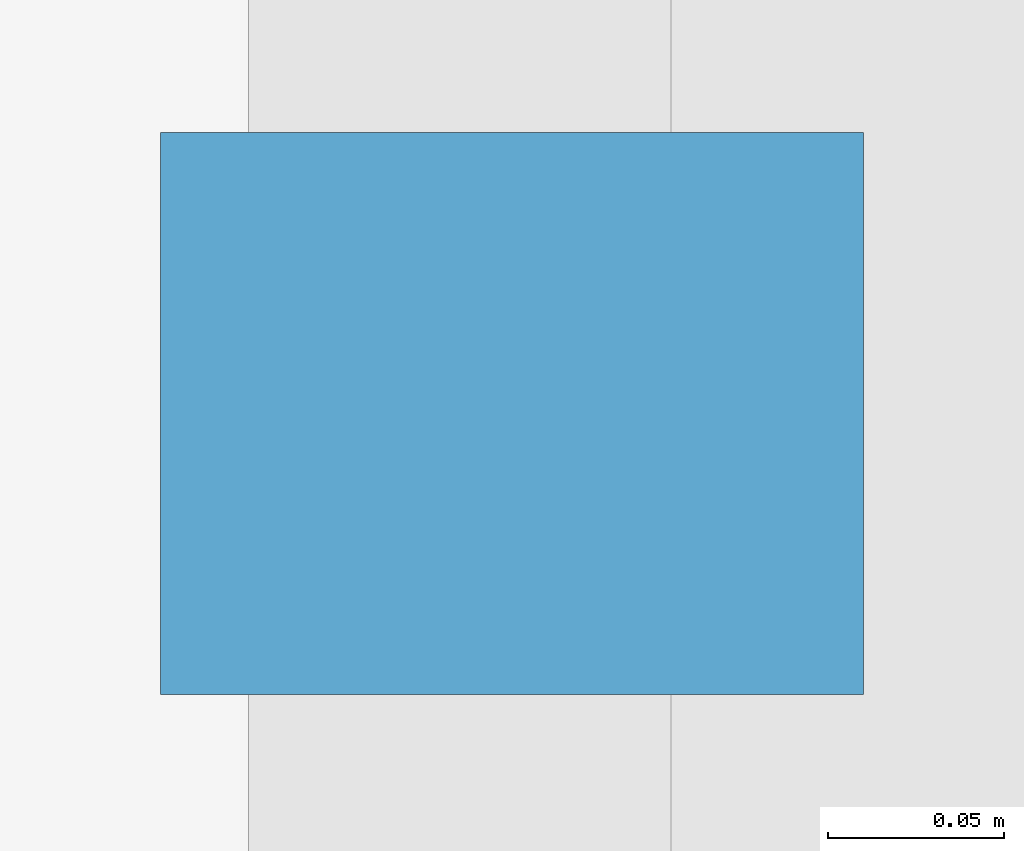
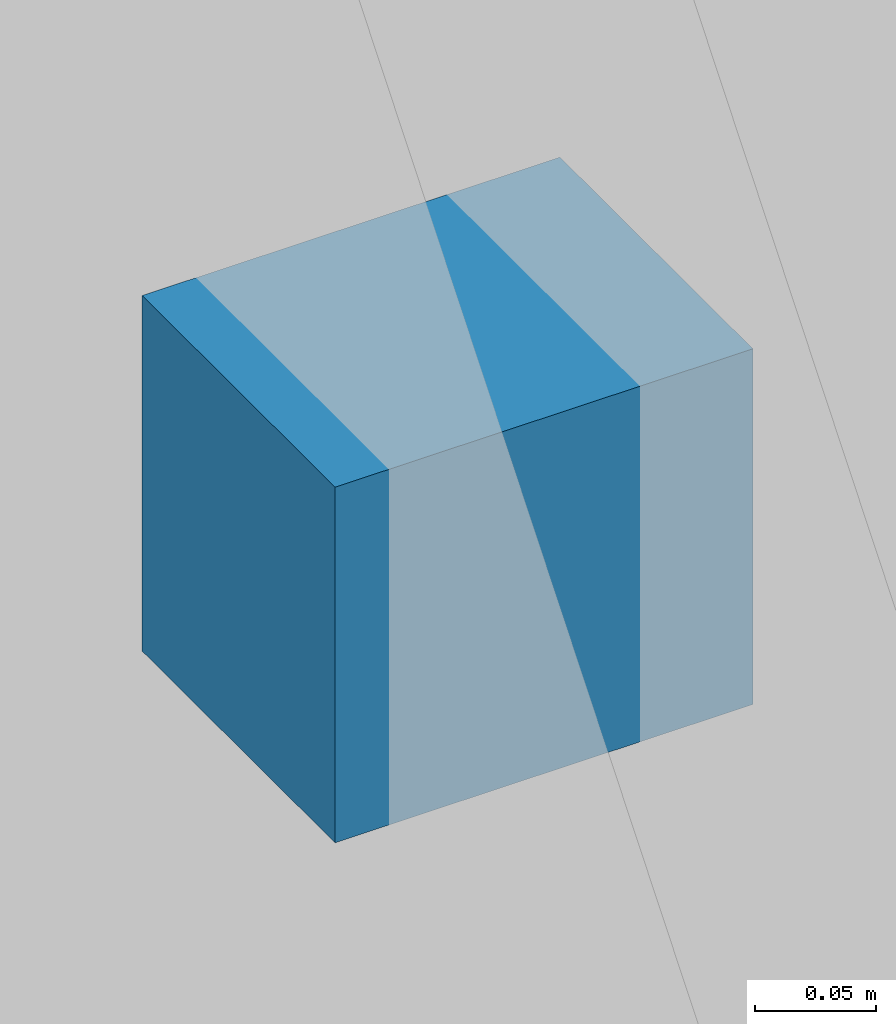
# One storey, part 18 of 22: 1 discrete accessory.
"""IFC4 building model written with IfcOpenShell, lengths in metres."""

from ifc_helpers import new_model, si_unit, direction, frame, origin, origin_2d, place, context, subcontext, project, spatial, rectangle, extrude, material, type_object, element, save


model = new_model("IFC4")

# Units and contexts
model_context = context("Model", 3, precision=1e-05, world=origin(), true_north=direction((0.0, 1.0)))
body_context = subcontext(model_context, "Body", "Model", "MODEL_VIEW")
ifc_project = project(units=[si_unit("LENGTHUNIT", "METRE"), si_unit("AREAUNIT", "SQUARE_METRE"), si_unit("VOLUMEUNIT", "CUBIC_METRE"), si_unit("PLANEANGLEUNIT", "RADIAN"), si_unit("MASSUNIT", "GRAM", prefix="KILO")], contexts=[model_context])

# Site, building, storey
site_placement = place(None, origin())
site = spatial("IfcSite", under=ifc_project, at=site_placement, CompositionType="ELEMENT")
building_placement = place(site_placement, origin())
building = spatial("IfcBuilding", under=site, at=building_placement, Name="Koriwani Terraces Tower", CompositionType="ELEMENT")
storey_placement = place(building_placement, frame((0.0, 0.0, 43.39990234375)))
storey = spatial("IfcBuildingStorey", under=building, at=storey_placement, Name="L09", CompositionType="ELEMENT", Elevation=43.39990234375)

# Discrete accessory
ifc_material = material(Name="Steel ASTM A572 Grade 50", Category="steel")
discrete_accessory_type = type_object("IfcDiscreteAccessoryType", Name="BAGUETTE_STANDOFF_BRACKET", PredefinedType="BRACKET", material=ifc_material)
discrete_accessory_placement = place(storey_placement, frame((33.2099609375, 71.39990234375, 1.68505859375), z_axis=(0.0, 0.0, 1.0), x_axis=(0.0, -1.0, 0.0)))
element("IfcDiscreteAccessory", 1, at=discrete_accessory_placement, inside=storey, type_object=discrete_accessory_type, Name="L09 Terracotta Baguette Bracket (NW_IN-14)", PredefinedType="BRACKET", context=body_context, shape_type="SweptSolid", body=[
    extrude(rectangle(XDim=0.159912109375, YDim=0.199951171875, at=origin_2d()), origin(), (0.0, 0.0, 1.0), 0.179931640625),
])

save(model, "model.ifc")
